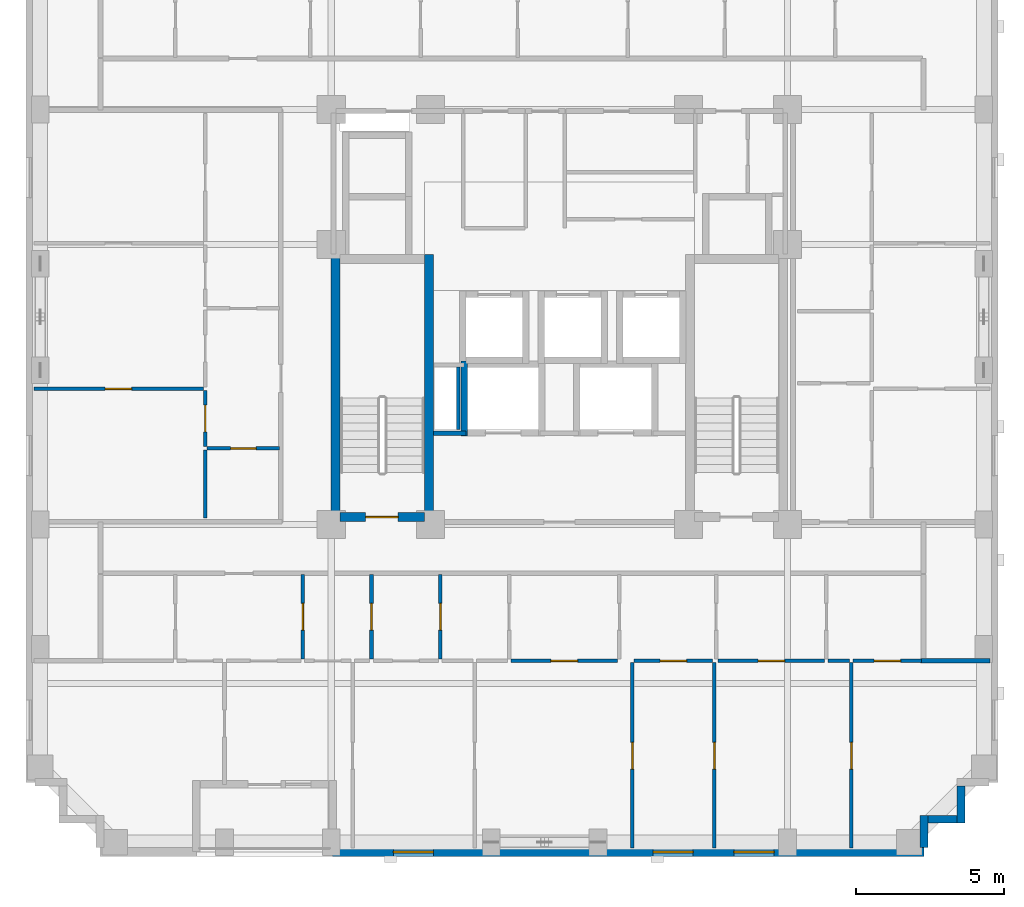
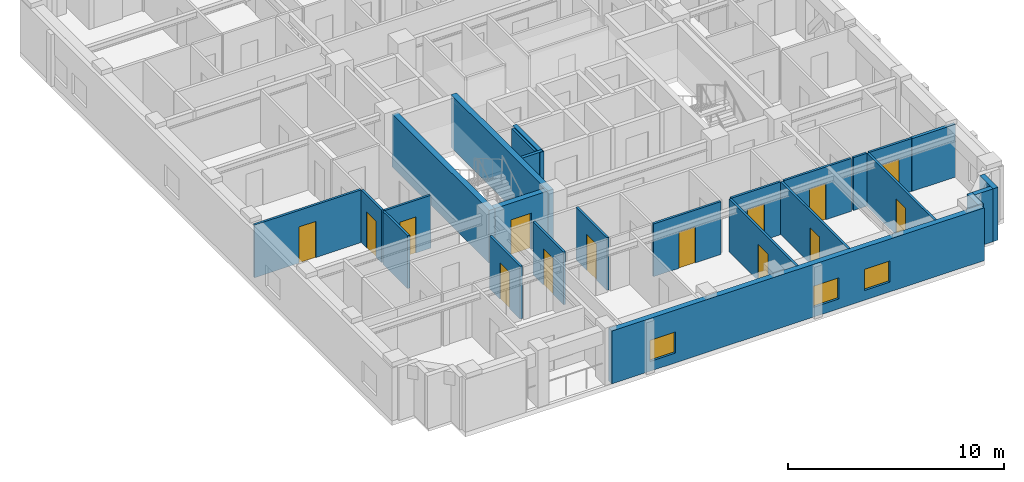
# One storey, part 3 of 11: 26 walls, 14 doors, 3 windows, 17 openings.
"""IFC4 building model written with IfcOpenShell, lengths in metres."""

from ifc_helpers import new_model, si_unit, derived_unit, direction, frame, frame_2d, origin, place, context, subcontext, project, spatial, rectangle, extrude, material, layer, layer_set, type_object, element, fill, save


model = new_model("IFC4")

# Units and contexts
model_context = context("Model", 3, precision=1e-05, world=origin(), true_north=direction((0.0, 1.0)))
body_context = subcontext(model_context, "Body", "Model", "MODEL_VIEW")
ifc_project = project(units=[si_unit("LENGTHUNIT", "METRE"), si_unit("AREAUNIT", "SQUARE_METRE"), si_unit("VOLUMEUNIT", "CUBIC_METRE"), si_unit("PLANEANGLEUNIT", "RADIAN"), si_unit("MASSUNIT", "GRAM", prefix="KILO"), derived_unit("THERMALTRANSMITTANCEUNIT", [(si_unit("MASSUNIT", "GRAM", prefix="KILO"), 1), (si_unit("TIMEUNIT", "SECOND"), -3), (si_unit("THERMODYNAMICTEMPERATUREUNIT", "KELVIN"), -1)])], contexts=[model_context])

# Site, building, storey
site_placement = place(None, origin())
site = spatial("IfcSite", under=ifc_project, at=site_placement, CompositionType="ELEMENT")
building_placement = place(site_placement, origin())
building = spatial("IfcBuilding", under=site, at=building_placement, Name="Korrvale Station Residences", CompositionType="ELEMENT")
storey_placement = place(building_placement, frame((0.0, 0.0, 153.64990234375)))
storey = spatial("IfcBuildingStorey", under=building, at=storey_placement, Name="L44", CompositionType="ELEMENT", Elevation=153.64990234375)

# Walls
ifc_material_1 = material(Name="Concrete C60/75", Category="concrete")
ifc_layer_1 = layer(ifc_material_1, 0.300048828125, Name="Concrete C60/75")
ifc_layer_set_1 = layer_set([ifc_layer_1], Name="Concrete C60/75")
wall_type_1 = type_object("IfcWallType", Name="WAL-CORE-300-C60", PredefinedType="SHEAR", material=ifc_layer_set_1)
for number, where, z_axis, x_axis, name in (
    (1, (17.949951171875, 15.10009765625, 0.0), (0.0, 0.0, 1.0), (0.0, 1.0, 0.0), "L44 ST-1 Core Shear Wall West"),
    (2, (21.10009765625, 15.10009765625, 0.0), (0.0, 0.0, 1.0), (0.0, 1.0, 0.0), "L44 ST-1 Core Shear Wall East"),
):
    element("IfcWall", number, at=place(storey_placement, frame(where, z_axis=z_axis, x_axis=x_axis)), inside=storey, type_object=wall_type_1, Name=name, PredefinedType="SHEAR", context=body_context, shape_type="SweptSolid", body=[
        extrude(rectangle(XDim=9.0, YDim=0.300048828125, at=frame_2d((4.5, 0.0))), origin(), (0.0, 0.0, 1.0), 2.989990234375),
    ])

# Wall, opening, door
wall_1_placement = place(storey_placement, frame((18.10009765625, 15.25, 0.0), z_axis=(0.0, 0.0, 1.0), x_axis=(1.0, 0.0, 0.0)))
wall_1 = element("IfcWall", 3, at=wall_1_placement, inside=storey, type_object=wall_type_1, Name="L44 ST-1 Core Shear Wall South", PredefinedType="SHEAR", context=body_context, shape_type="SweptSolid", body=[
    extrude(rectangle(XDim=2.849853515625, YDim=0.300048828125, at=frame_2d((1.4248046875, 0.0))), origin(), (0.0, 0.0, 1.0), 2.989990234375),
])
opening_1_placement = place(wall_1_placement, frame((0.860107421875, 0.0, 0.0)))
opening_1 = element("IfcOpeningElement", 4, at=opening_1_placement, cuts=wall_1, Name="Opening SD-1100", PredefinedType="OPENING", context=body_context, shape_type="SweptSolid", body=[
    extrude(rectangle(XDim=1.10009765625, YDim=2.050048828125, at=frame_2d((0.550048828125, 1.02490234375))), frame((0.0, 0.16015625, 0.0), z_axis=(0.0, -1.0, 0.0), x_axis=(1.0, 0.0, 0.0)), (0.0, 0.0, 1.0), 0.320068359375),
])
ifc_material_2 = material(Name="Hollow-metal fire-rated stair door with closer", Category="steel")
door_type_1 = type_object("IfcDoorType", Name="DR-STAIR-1100", OperationType="NOTDEFINED", PredefinedType="DOOR", material=ifc_material_2)
door_1_placement = place(opening_1_placement, origin())
door_1 = element("IfcDoor", 5, at=door_1_placement, inside=storey, type_object=door_type_1, Name="L44 ST-1 Exit Stair Door", OperationType="SINGLE_SWING_LEFT", OverallHeight=2.050048828125, OverallWidth=1.10009765625, PredefinedType="DOOR", context=body_context, shape_type="SweptSolid", body=[
    extrude(rectangle(XDim=1.10009765625, YDim=2.050048828125, at=frame_2d((0.550048828125, 1.02490234375))), frame((0.0, 0.02490234375, 0.0), z_axis=(0.0, -1.0, 0.0), x_axis=(1.0, 0.0, 0.0)), (0.0, 0.0, 1.0), 0.050048828125),
])
fill(opening_1, door_1)

# Walls
ifc_material_3 = material(Name="Precast concrete C45/55", Category="concrete")
ifc_layer_2 = layer(ifc_material_3, 0.260009765625, Name="Precast concrete C45/55")
ifc_layer_set_2 = layer_set([ifc_layer_2], Name="Precast concrete C45/55")
wall_type_2 = type_object("IfcWallType", Name="WAL-EXT-LOG260", PredefinedType="SOLIDWALL", material=ifc_layer_set_2)
wall_2_placement = place(storey_placement, frame((39.050048828125, 6.16796875, 0.0), z_axis=(0.0, 0.0, 1.0), x_axis=(0.0, -1.0, 0.0)))
element("IfcWall", 6, at=wall_2_placement, inside=storey, type_object=wall_type_2, Name="L44 Serrated Corner Precast Step SE-2", PredefinedType="SOLIDWALL", context=body_context, shape_type="SweptSolid", body=[
    extrude(rectangle(XDim=1.248046875, YDim=0.260009765625, at=frame_2d((0.6240234375, 0.0))), origin(), (0.0, 0.0, 1.0), 2.989990234375),
])
wall_3_placement = place(storey_placement, frame((38.91796875, 5.050048828125, 0.0), z_axis=(0.0, 0.0, 1.0), x_axis=(-1.0, 0.0, 0.0)))
element("IfcWall", 7, at=wall_3_placement, inside=storey, type_object=wall_type_2, Name="L44 Serrated Corner Precast Step SE-3", PredefinedType="SOLIDWALL", context=body_context, shape_type="SweptSolid", body=[
    extrude(rectangle(XDim=0.986083984375, YDim=0.260009765625, at=frame_2d((0.4931640625, 0.0))), origin(), (0.0, 0.0, 1.0), 2.989990234375),
])
wall_4_placement = place(storey_placement, frame((37.800048828125, 5.179931640625, 0.0), z_axis=(0.0, 0.0, 1.0), x_axis=(0.0, -1.0, 0.0)))
element("IfcWall", 8, at=wall_4_placement, inside=storey, type_object=wall_type_2, Name="L44 Serrated Corner Precast Step SE-4", PredefinedType="SOLIDWALL", context=body_context, shape_type="SweptSolid", body=[
    extrude(rectangle(XDim=1.077880859375, YDim=0.260009765625, at=frame_2d((0.5390625, 0.0))), origin(), (0.0, 0.0, 1.0), 2.989990234375),
])

# Wall, openings, windows
ifc_layer_3 = layer(ifc_material_3, 0.300048828125, Name="Precast concrete C45/55")
ifc_layer_set_3 = layer_set([ifc_layer_3], Name="Precast concrete C45/55")
wall_type_3 = type_object("IfcWallType", Name="WAL-EXT-PC300", PredefinedType="SOLIDWALL", material=ifc_layer_set_3)
wall_5_placement = place(storey_placement, frame((37.800048828125, 3.949951171875, 0.0), z_axis=(0.0, 0.0, 1.0), x_axis=(-1.0, 0.0, 0.0)))
wall_5 = element("IfcWall", 9, at=wall_5_placement, inside=storey, type_object=wall_type_3, Name="L44 South Exterior Precast Wall 1", PredefinedType="SOLIDWALL", context=body_context, shape_type="SweptSolid", body=[
    extrude(rectangle(XDim=19.949951171875, YDim=0.300048828125, at=frame_2d((9.97509765625, 0.0))), origin(), (0.0, 0.0, 1.0), 2.989990234375),
])
opening_2_placement = place(wall_5_placement, frame((16.554931640625, 0.0, 0.550048828125)))
opening_2 = element("IfcOpeningElement", 10, at=opening_2_placement, cuts=wall_5, Name="Opening W-10", PredefinedType="OPENING", context=body_context, shape_type="SweptSolid", body=[
    extrude(rectangle(XDim=1.35009765625, YDim=1.199951171875, at=frame_2d((0.675048828125, 0.60009765625))), frame((0.0, 0.16015625, 0.0), z_axis=(0.0, -1.0, 0.0), x_axis=(1.0, 0.0, 0.0)), (0.0, 0.0, 1.0), 0.320068359375),
])
opening_3_placement = place(wall_5_placement, frame((7.7880859375, 0.0, 0.550048828125)))
opening_3 = element("IfcOpeningElement", 11, at=opening_3_placement, cuts=wall_5, Name="Opening W-10", PredefinedType="OPENING", context=body_context, shape_type="SweptSolid", body=[
    extrude(rectangle(XDim=1.35009765625, YDim=1.199951171875, at=frame_2d((0.675048828125, 0.60009765625))), frame((0.0, 0.16015625, 0.0), z_axis=(0.0, -1.0, 0.0), x_axis=(1.0, 0.0, 0.0)), (0.0, 0.0, 1.0), 0.320068359375),
])
opening_4_placement = place(wall_5_placement, frame((5.06005859375, 0.0, 0.550048828125)))
opening_4 = element("IfcOpeningElement", 12, at=opening_4_placement, cuts=wall_5, Name="Opening W-10", PredefinedType="OPENING", context=body_context, shape_type="SweptSolid", body=[
    extrude(rectangle(XDim=1.35009765625, YDim=1.199951171875, at=frame_2d((0.675048828125, 0.60009765625))), frame((0.0, 0.16015625, 0.0), z_axis=(0.0, -1.0, 0.0), x_axis=(1.0, 0.0, 0.0)), (0.0, 0.0, 1.0), 0.320068359375),
])
ifc_material_4 = material(Name="Thermally broken aluminium frame with triple low-e glazing", Category="aluminium")
window_type = type_object("IfcWindowType", Name="WIN-W10", PartitioningType="SINGLE_PANEL", PredefinedType="WINDOW", material=ifc_material_4)
window_1_placement = place(opening_2_placement, origin())
window_1 = element("IfcWindow", 13, at=window_1_placement, inside=storey, type_object=window_type, Name="L44 Punched Window 03", OverallHeight=1.199951171875, OverallWidth=1.35009765625, PartitioningType="SINGLE_PANEL", PredefinedType="WINDOW", context=body_context, shape_type="SweptSolid", body=[
    extrude(rectangle(XDim=1.35009765625, YDim=1.199951171875, at=frame_2d((0.675048828125, 0.60009765625))), frame((0.0, 0.030029296875, 0.0), z_axis=(0.0, -1.0, 0.0), x_axis=(1.0, 0.0, 0.0)), (0.0, 0.0, 1.0), 0.06005859375),
])
fill(opening_2, window_1)
window_2_placement = place(opening_3_placement, origin())
window_2 = element("IfcWindow", 14, at=window_2_placement, inside=storey, type_object=window_type, Name="L44 Punched Window 04", OverallHeight=1.199951171875, OverallWidth=1.35009765625, PartitioningType="SINGLE_PANEL", PredefinedType="WINDOW", context=body_context, shape_type="SweptSolid", body=[
    extrude(rectangle(XDim=1.35009765625, YDim=1.199951171875, at=frame_2d((0.675048828125, 0.60009765625))), frame((0.0, 0.030029296875, 0.0), z_axis=(0.0, -1.0, 0.0), x_axis=(1.0, 0.0, 0.0)), (0.0, 0.0, 1.0), 0.06005859375),
])
fill(opening_3, window_2)
window_3_placement = place(opening_4_placement, origin())
window_3 = element("IfcWindow", 15, at=window_3_placement, inside=storey, type_object=window_type, Name="L44 Punched Window 05", OverallHeight=1.199951171875, OverallWidth=1.35009765625, PartitioningType="SINGLE_PANEL", PredefinedType="WINDOW", context=body_context, shape_type="SweptSolid", body=[
    extrude(rectangle(XDim=1.35009765625, YDim=1.199951171875, at=frame_2d((0.675048828125, 0.60009765625))), frame((0.0, 0.030029296875, 0.0), z_axis=(0.0, -1.0, 0.0), x_axis=(1.0, 0.0, 0.0)), (0.0, 0.0, 1.0), 0.06005859375),
])
fill(opening_4, window_3)

# Wall
ifc_material_5 = material(Name="Acoustic steel-stud gypsum board partition", Category="steel")
ifc_layer_4 = layer(ifc_material_5, 0.1201171875, Name="Acoustic steel-stud gypsum board partition")
ifc_layer_set_4 = layer_set([ifc_layer_4], Name="Acoustic steel-stud gypsum board partition")
wall_type_4 = type_object("IfcWallType", Name="WAL-PART-125", PredefinedType="PARTITIONING", material=ifc_layer_set_4)
wall_6_placement = place(storey_placement, frame((22.080078125, 18.199951171875, 0.0), z_axis=(0.0, 0.0, 1.0), x_axis=(0.0, 1.0, 0.0)))
element("IfcWall", 16, at=wall_6_placement, inside=storey, type_object=wall_type_4, Name="L44 Core Partition CW-RSWT", PredefinedType="PARTITIONING", context=body_context, shape_type="SweptSolid", body=[
    extrude(rectangle(XDim=2.1201171875, YDim=0.1201171875, at=frame_2d((1.06005859375, 0.0))), origin(), (0.0, 0.0, 1.0), 2.989990234375),
])

# Wall, opening, door
wall_7_placement = place(storey_placement, frame((16.840087890625, 10.4599609375, 0.0), z_axis=(0.0, 0.0, 1.0), x_axis=(0.0, 1.0, 0.0)))
wall_7 = element("IfcWall", 17, at=wall_7_placement, inside=storey, type_object=wall_type_4, Name="L44 Suite Partition U01-V12", PredefinedType="PARTITIONING", context=body_context, shape_type="SweptSolid", body=[
    extrude(rectangle(XDim=2.85009765625, YDim=0.1201171875, at=frame_2d((1.425048828125, 0.0))), origin(), (0.0, 0.0, 1.0), 2.989990234375),
])
opening_5_placement = place(wall_7_placement, frame((0.97509765625, 0.0, 0.0)))
opening_5 = element("IfcOpeningElement", 18, at=opening_5_placement, cuts=wall_7, Name="Opening DI-900", PredefinedType="OPENING", context=body_context, shape_type="SweptSolid", body=[
    extrude(rectangle(XDim=0.89990234375, YDim=2.050048828125, at=frame_2d((0.449951171875, 1.02490234375))), frame((0.0, 0.070068359375, 0.0), z_axis=(0.0, -1.0, 0.0), x_axis=(1.0, 0.0, 0.0)), (0.0, 0.0, 1.0), 0.14013671875),
])
ifc_material_6 = material(Name="Painted solid-core timber interior room door", Category="wood")
door_type_2 = type_object("IfcDoorType", Name="DR-INT-900", OperationType="NOTDEFINED", PredefinedType="DOOR", material=ifc_material_6)
door_2_placement = place(opening_5_placement, origin())
door_2 = element("IfcDoor", 19, at=door_2_placement, inside=storey, type_object=door_type_2, Name="L44 Apartment 2BR L44-U01 Kitchen Door", OperationType="SINGLE_SWING_RIGHT", OverallHeight=2.050048828125, OverallWidth=0.89990234375, PredefinedType="DOOR", context=body_context, shape_type="SweptSolid", body=[
    extrude(rectangle(XDim=0.89990234375, YDim=2.050048828125, at=frame_2d((0.449951171875, 1.02490234375))), frame((0.0, 0.02490234375, 0.0), z_axis=(0.0, -1.0, 0.0), x_axis=(1.0, 0.0, 0.0)), (0.0, 0.0, 1.0), 0.050048828125),
])
fill(opening_5, door_2)

wall_8_placement = place(storey_placement, frame((19.159912109375, 10.4599609375, 0.0), z_axis=(0.0, 0.0, 1.0), x_axis=(0.0, 1.0, 0.0)))
wall_8 = element("IfcWall", 20, at=wall_8_placement, inside=storey, type_object=wall_type_4, Name="L44 Suite Partition U01-V23", PredefinedType="PARTITIONING", context=body_context, shape_type="SweptSolid", body=[
    extrude(rectangle(XDim=2.85009765625, YDim=0.1201171875, at=frame_2d((1.425048828125, 0.0))), origin(), (0.0, 0.0, 1.0), 2.989990234375),
])
opening_6_placement = place(wall_8_placement, frame((0.97509765625, 0.0, 0.0)))
opening_6 = element("IfcOpeningElement", 21, at=opening_6_placement, cuts=wall_8, Name="Opening DI-900", PredefinedType="OPENING", context=body_context, shape_type="SweptSolid", body=[
    extrude(rectangle(XDim=0.89990234375, YDim=2.050048828125, at=frame_2d((0.449951171875, 1.02490234375))), frame((0.0, 0.070068359375, 0.0), z_axis=(0.0, -1.0, 0.0), x_axis=(1.0, 0.0, 0.0)), (0.0, 0.0, 1.0), 0.14013671875),
])
door_3_placement = place(opening_6_placement, origin())
door_3 = element("IfcDoor", 22, at=door_3_placement, inside=storey, type_object=door_type_2, Name="L44 Apartment 2BR L44-U01 Wardrobe Storage Room Door", OperationType="SINGLE_SWING_LEFT", OverallHeight=2.050048828125, OverallWidth=0.89990234375, PredefinedType="DOOR", context=body_context, shape_type="SweptSolid", body=[
    extrude(rectangle(XDim=0.89990234375, YDim=2.050048828125, at=frame_2d((0.449951171875, 1.02490234375))), frame((0.0, 0.02490234375, 0.0), z_axis=(0.0, -1.0, 0.0), x_axis=(1.0, 0.0, 0.0)), (0.0, 0.0, 1.0), 0.050048828125),
])
fill(opening_6, door_3)

wall_9_placement = place(storey_placement, frame((21.47998046875, 10.4599609375, 0.0), z_axis=(0.0, 0.0, 1.0), x_axis=(0.0, 1.0, 0.0)))
wall_9 = element("IfcWall", 23, at=wall_9_placement, inside=storey, type_object=wall_type_4, Name="L44 Suite Partition U01-V34", PredefinedType="PARTITIONING", context=body_context, shape_type="SweptSolid", body=[
    extrude(rectangle(XDim=2.85009765625, YDim=0.1201171875, at=frame_2d((1.425048828125, 0.0))), origin(), (0.0, 0.0, 1.0), 2.989990234375),
])
opening_7_placement = place(wall_9_placement, frame((0.97509765625, 0.0, 0.0)))
opening_7 = element("IfcOpeningElement", 24, at=opening_7_placement, cuts=wall_9, Name="Opening DI-900", PredefinedType="OPENING", context=body_context, shape_type="SweptSolid", body=[
    extrude(rectangle(XDim=0.89990234375, YDim=2.050048828125, at=frame_2d((0.449951171875, 1.02490234375))), frame((0.0, 0.070068359375, 0.0), z_axis=(0.0, -1.0, 0.0), x_axis=(1.0, 0.0, 0.0)), (0.0, 0.0, 1.0), 0.14013671875),
])
door_4_placement = place(opening_7_placement, origin())
door_4 = element("IfcDoor", 25, at=door_4_placement, inside=storey, type_object=door_type_2, Name="L44 Apartment 2BR L44-U01 Wardrobe Storage Room Door", OperationType="SINGLE_SWING_LEFT", OverallHeight=2.050048828125, OverallWidth=0.89990234375, PredefinedType="DOOR", context=body_context, shape_type="SweptSolid", body=[
    extrude(rectangle(XDim=0.89990234375, YDim=2.050048828125, at=frame_2d((0.449951171875, 1.02490234375))), frame((0.0, 0.02490234375, 0.0), z_axis=(0.0, -1.0, 0.0), x_axis=(1.0, 0.0, 0.0)), (0.0, 0.0, 1.0), 0.050048828125),
])
fill(opening_7, door_4)

wall_10_placement = place(storey_placement, frame((23.860107421875, 10.39990234375, 0.0), z_axis=(0.0, 0.0, 1.0), x_axis=(1.0, 0.0, 0.0)))
wall_10 = element("IfcWall", 26, at=wall_10_placement, inside=storey, type_object=wall_type_4, Name="L44 Suite Partition U01-H512", PredefinedType="PARTITIONING", context=body_context, shape_type="SweptSolid", body=[
    extrude(rectangle(XDim=3.599853515625, YDim=0.1201171875, at=frame_2d((1.7998046875, 0.0))), origin(), (0.0, 0.0, 1.0), 2.989990234375),
])
opening_8_placement = place(wall_10_placement, frame((1.35009765625, 0.0, 0.0)))
opening_8 = element("IfcOpeningElement", 27, at=opening_8_placement, cuts=wall_10, Name="Opening DI-900", PredefinedType="OPENING", context=body_context, shape_type="SweptSolid", body=[
    extrude(rectangle(XDim=0.89990234375, YDim=2.050048828125, at=frame_2d((0.449951171875, 1.02490234375))), frame((0.0, 0.070068359375, 0.0), z_axis=(0.0, -1.0, 0.0), x_axis=(1.0, 0.0, 0.0)), (0.0, 0.0, 1.0), 0.14013671875),
])
door_5_placement = place(opening_8_placement, origin())
door_5 = element("IfcDoor", 28, at=door_5_placement, inside=storey, type_object=door_type_2, Name="L44 Apartment 2BR L44-U01 Utility and Laundry Room Door", OperationType="SINGLE_SWING_LEFT", OverallHeight=2.050048828125, OverallWidth=0.89990234375, PredefinedType="DOOR", context=body_context, shape_type="SweptSolid", body=[
    extrude(rectangle(XDim=0.89990234375, YDim=2.050048828125, at=frame_2d((0.449951171875, 1.02490234375))), frame((0.0, 0.02490234375, 0.0), z_axis=(0.0, -1.0, 0.0), x_axis=(1.0, 0.0, 0.0)), (0.0, 0.0, 1.0), 0.050048828125),
])
fill(opening_8, door_5)

wall_11_placement = place(storey_placement, frame((28.02001953125, 10.39990234375, 0.0), z_axis=(0.0, 0.0, 1.0), x_axis=(1.0, 0.0, 0.0)))
wall_11 = element("IfcWall", 29, at=wall_11_placement, inside=storey, type_object=wall_type_4, Name="L44 Suite Partition U01-H613", PredefinedType="PARTITIONING", context=body_context, shape_type="SweptSolid", body=[
    extrude(rectangle(XDim=2.64990234375, YDim=0.1201171875, at=frame_2d((1.324951171875, 0.0))), origin(), (0.0, 0.0, 1.0), 2.989990234375),
])
opening_9_placement = place(wall_11_placement, frame((0.875, 0.0, 0.0)))
opening_9 = element("IfcOpeningElement", 30, at=opening_9_placement, cuts=wall_11, Name="Opening DI-900", PredefinedType="OPENING", context=body_context, shape_type="SweptSolid", body=[
    extrude(rectangle(XDim=0.89990234375, YDim=2.050048828125, at=frame_2d((0.449951171875, 1.02490234375))), frame((0.0, 0.070068359375, 0.0), z_axis=(0.0, -1.0, 0.0), x_axis=(1.0, 0.0, 0.0)), (0.0, 0.0, 1.0), 0.14013671875),
])
door_6_placement = place(opening_9_placement, origin())
door_6 = element("IfcDoor", 31, at=door_6_placement, inside=storey, type_object=door_type_2, Name="L44 Apartment 2BR L44-U01 Storage Closet 2 Door", OperationType="SINGLE_SWING_LEFT", OverallHeight=2.050048828125, OverallWidth=0.89990234375, PredefinedType="DOOR", context=body_context, shape_type="SweptSolid", body=[
    extrude(rectangle(XDim=0.89990234375, YDim=2.050048828125, at=frame_2d((0.449951171875, 1.02490234375))), frame((0.0, 0.02490234375, 0.0), z_axis=(0.0, -1.0, 0.0), x_axis=(1.0, 0.0, 0.0)), (0.0, 0.0, 1.0), 0.050048828125),
])
fill(opening_9, door_6)

wall_12_placement = place(storey_placement, frame((30.85009765625, 10.39990234375, 0.0), z_axis=(0.0, 0.0, 1.0), x_axis=(1.0, 0.0, 0.0)))
wall_12 = element("IfcWall", 32, at=wall_12_placement, inside=storey, type_object=wall_type_4, Name="L44 Suite Partition U01-H714", PredefinedType="PARTITIONING", context=body_context, shape_type="SweptSolid", body=[
    extrude(rectangle(XDim=3.599853515625, YDim=0.1201171875, at=frame_2d((1.7998046875, 0.0))), origin(), (0.0, 0.0, 1.0), 2.989990234375),
])
opening_10_placement = place(wall_12_placement, frame((1.35009765625, 0.0, 0.0)))
opening_10 = element("IfcOpeningElement", 33, at=opening_10_placement, cuts=wall_12, Name="Opening DI-900", PredefinedType="OPENING", context=body_context, shape_type="SweptSolid", body=[
    extrude(rectangle(XDim=0.89990234375, YDim=2.050048828125, at=frame_2d((0.449951171875, 1.02490234375))), frame((0.0, 0.070068359375, 0.0), z_axis=(0.0, -1.0, 0.0), x_axis=(1.0, 0.0, 0.0)), (0.0, 0.0, 1.0), 0.14013671875),
])
door_7_placement = place(opening_10_placement, origin())
door_7 = element("IfcDoor", 34, at=door_7_placement, inside=storey, type_object=door_type_2, Name="L44 Apartment 2BR L44-U01 Storage Closet 3 Door", OperationType="SINGLE_SWING_LEFT", OverallHeight=2.050048828125, OverallWidth=0.89990234375, PredefinedType="DOOR", context=body_context, shape_type="SweptSolid", body=[
    extrude(rectangle(XDim=0.89990234375, YDim=2.050048828125, at=frame_2d((0.449951171875, 1.02490234375))), frame((0.0, 0.02490234375, 0.0), z_axis=(0.0, -1.0, 0.0), x_axis=(1.0, 0.0, 0.0)), (0.0, 0.0, 1.0), 0.050048828125),
])
fill(opening_10, door_7)

# Wall
wall_13_placement = place(storey_placement, frame((34.570068359375, 10.39990234375, 0.0), z_axis=(0.0, 0.0, 1.0), x_axis=(1.0, 0.0, 0.0)))
element("IfcWall", 35, at=wall_13_placement, inside=storey, type_object=wall_type_4, Name="L44 Suite Partition U01-H814", PredefinedType="PARTITIONING", context=body_context, shape_type="SweptSolid", body=[
    extrude(rectangle(XDim=0.719970703125, YDim=0.1201171875, at=frame_2d((0.35986328125, 0.0))), origin(), (0.0, 0.0, 1.0), 2.989990234375),
])

# Wall, opening, door
wall_14_placement = place(storey_placement, frame((35.409912109375, 10.39990234375, 0.0), z_axis=(0.0, 0.0, 1.0), x_axis=(1.0, 0.0, 0.0)))
wall_14 = element("IfcWall", 36, at=wall_14_placement, inside=storey, type_object=wall_type_4, Name="L44 Suite Partition U01-H815", PredefinedType="PARTITIONING", context=body_context, shape_type="SweptSolid", body=[
    extrude(rectangle(XDim=2.31005859375, YDim=0.1201171875, at=frame_2d((1.155029296875, 0.0))), origin(), (0.0, 0.0, 1.0), 2.989990234375),
])
opening_11_placement = place(wall_14_placement, frame((0.705078125, 0.0, 0.0)))
opening_11 = element("IfcOpeningElement", 37, at=opening_11_placement, cuts=wall_14, Name="Opening DI-900", PredefinedType="OPENING", context=body_context, shape_type="SweptSolid", body=[
    extrude(rectangle(XDim=0.89990234375, YDim=2.050048828125, at=frame_2d((0.449951171875, 1.02490234375))), frame((0.0, 0.070068359375, 0.0), z_axis=(0.0, -1.0, 0.0), x_axis=(1.0, 0.0, 0.0)), (0.0, 0.0, 1.0), 0.14013671875),
])
door_8_placement = place(opening_11_placement, origin())
door_8 = element("IfcDoor", 38, at=door_8_placement, inside=storey, type_object=door_type_2, Name="L44 Apartment 2BR L44-U01 Storage Closet 4 Door", OperationType="SINGLE_SWING_RIGHT", OverallHeight=2.050048828125, OverallWidth=0.89990234375, PredefinedType="DOOR", context=body_context, shape_type="SweptSolid", body=[
    extrude(rectangle(XDim=0.89990234375, YDim=2.050048828125, at=frame_2d((0.449951171875, 1.02490234375))), frame((0.0, 0.02490234375, 0.0), z_axis=(0.0, -1.0, 0.0), x_axis=(1.0, 0.0, 0.0)), (0.0, 0.0, 1.0), 0.050048828125),
])
fill(opening_11, door_8)

wall_15_placement = place(storey_placement, frame((27.9599609375, 4.080078125, 0.0), z_axis=(0.0, 0.0, 1.0), x_axis=(0.0, 1.0, 0.0)))
wall_15 = element("IfcWall", 39, at=wall_15_placement, inside=storey, type_object=wall_type_4, Name="L44 Suite Partition U01-V1213", PredefinedType="PARTITIONING", context=body_context, shape_type="SweptSolid", body=[
    extrude(rectangle(XDim=6.260009765625, YDim=0.1201171875, at=frame_2d((3.1298828125, 0.0))), origin(), (0.0, 0.0, 1.0), 2.989990234375),
])
opening_12_placement = place(wall_15_placement, frame((2.6650390625, 0.0, 0.0)))
opening_12 = element("IfcOpeningElement", 40, at=opening_12_placement, cuts=wall_15, Name="Opening DI-900", PredefinedType="OPENING", context=body_context, shape_type="SweptSolid", body=[
    extrude(rectangle(XDim=0.89990234375, YDim=2.050048828125, at=frame_2d((0.449951171875, 1.02490234375))), frame((0.0, 0.070068359375, 0.0), z_axis=(0.0, -1.0, 0.0), x_axis=(1.0, 0.0, 0.0)), (0.0, 0.0, 1.0), 0.14013671875),
])
door_9_placement = place(opening_12_placement, origin())
door_9 = element("IfcDoor", 41, at=door_9_placement, inside=storey, type_object=door_type_2, Name="L44 Apartment 2BR L44-U01 Wardrobe Storage Room Door", OperationType="SINGLE_SWING_RIGHT", OverallHeight=2.050048828125, OverallWidth=0.89990234375, PredefinedType="DOOR", context=body_context, shape_type="SweptSolid", body=[
    extrude(rectangle(XDim=0.89990234375, YDim=2.050048828125, at=frame_2d((0.449951171875, 1.02490234375))), frame((0.0, 0.02490234375, 0.0), z_axis=(0.0, -1.0, 0.0), x_axis=(1.0, 0.0, 0.0)), (0.0, 0.0, 1.0), 0.050048828125),
])
fill(opening_12, door_9)

wall_16_placement = place(storey_placement, frame((30.72998046875, 4.080078125, 0.0), z_axis=(0.0, 0.0, 1.0), x_axis=(0.0, 1.0, 0.0)))
wall_16 = element("IfcWall", 42, at=wall_16_placement, inside=storey, type_object=wall_type_4, Name="L44 Suite Partition U01-V1314", PredefinedType="PARTITIONING", context=body_context, shape_type="SweptSolid", body=[
    extrude(rectangle(XDim=6.260009765625, YDim=0.1201171875, at=frame_2d((3.1298828125, 0.0))), origin(), (0.0, 0.0, 1.0), 2.989990234375),
])
opening_13_placement = place(wall_16_placement, frame((2.6650390625, 0.0, 0.0)))
opening_13 = element("IfcOpeningElement", 43, at=opening_13_placement, cuts=wall_16, Name="Opening DI-900", PredefinedType="OPENING", context=body_context, shape_type="SweptSolid", body=[
    extrude(rectangle(XDim=0.89990234375, YDim=2.050048828125, at=frame_2d((0.449951171875, 1.02490234375))), frame((0.0, 0.070068359375, 0.0), z_axis=(0.0, -1.0, 0.0), x_axis=(1.0, 0.0, 0.0)), (0.0, 0.0, 1.0), 0.14013671875),
])
door_10_placement = place(opening_13_placement, origin())
door_10 = element("IfcDoor", 44, at=door_10_placement, inside=storey, type_object=door_type_2, Name="L44 Apartment 2BR L44-U01 Private Library Study Door", OperationType="SINGLE_SWING_LEFT", OverallHeight=2.050048828125, OverallWidth=0.89990234375, PredefinedType="DOOR", context=body_context, shape_type="SweptSolid", body=[
    extrude(rectangle(XDim=0.89990234375, YDim=2.050048828125, at=frame_2d((0.449951171875, 1.02490234375))), frame((0.0, 0.02490234375, 0.0), z_axis=(0.0, -1.0, 0.0), x_axis=(1.0, 0.0, 0.0)), (0.0, 0.0, 1.0), 0.050048828125),
])
fill(opening_13, door_10)

wall_17_placement = place(storey_placement, frame((35.35009765625, 4.080078125, 0.0), z_axis=(0.0, 0.0, 1.0), x_axis=(0.0, 1.0, 0.0)))
wall_17 = element("IfcWall", 45, at=wall_17_placement, inside=storey, type_object=wall_type_4, Name="L44 Suite Partition U01-V1415", PredefinedType="PARTITIONING", context=body_context, shape_type="SweptSolid", body=[
    extrude(rectangle(XDim=6.260009765625, YDim=0.1201171875, at=frame_2d((3.1298828125, 0.0))), origin(), (0.0, 0.0, 1.0), 2.989990234375),
])
opening_14_placement = place(wall_17_placement, frame((2.6650390625, 0.0, 0.0)))
opening_14 = element("IfcOpeningElement", 46, at=opening_14_placement, cuts=wall_17, Name="Opening DI-900", PredefinedType="OPENING", context=body_context, shape_type="SweptSolid", body=[
    extrude(rectangle(XDim=0.89990234375, YDim=2.050048828125, at=frame_2d((0.449951171875, 1.02490234375))), frame((0.0, 0.070068359375, 0.0), z_axis=(0.0, -1.0, 0.0), x_axis=(1.0, 0.0, 0.0)), (0.0, 0.0, 1.0), 0.14013671875),
])
door_11_placement = place(opening_14_placement, origin())
door_11 = element("IfcDoor", 47, at=door_11_placement, inside=storey, type_object=door_type_2, Name="L44 Apartment 2BR L44-U01 Bedroom 1 Door", OperationType="SINGLE_SWING_RIGHT", OverallHeight=2.050048828125, OverallWidth=0.89990234375, PredefinedType="DOOR", context=body_context, shape_type="SweptSolid", body=[
    extrude(rectangle(XDim=0.89990234375, YDim=2.050048828125, at=frame_2d((0.449951171875, 1.02490234375))), frame((0.0, 0.02490234375, 0.0), z_axis=(0.0, -1.0, 0.0), x_axis=(1.0, 0.0, 0.0)), (0.0, 0.0, 1.0), 0.050048828125),
])
fill(opening_14, door_11)

wall_18_placement = place(storey_placement, frame((13.610107421875, 17.570068359375, 0.0), z_axis=(0.0, 0.0, 1.0), x_axis=(1.0, 0.0, 0.0)))
wall_18 = element("IfcWall", 48, at=wall_18_placement, inside=storey, type_object=wall_type_4, Name="L44 Suite Partition U03-H12", PredefinedType="PARTITIONING", context=body_context, shape_type="SweptSolid", body=[
    extrude(rectangle(XDim=2.449951171875, YDim=0.1201171875, at=frame_2d((1.22509765625, 0.0))), origin(), (0.0, 0.0, 1.0), 2.989990234375),
])
opening_15_placement = place(wall_18_placement, frame((0.794921875, 0.0, 0.0)))
opening_15 = element("IfcOpeningElement", 49, at=opening_15_placement, cuts=wall_18, Name="Opening DB-860", PredefinedType="OPENING", context=body_context, shape_type="SweptSolid", body=[
    extrude(rectangle(XDim=0.860107421875, YDim=2.050048828125, at=frame_2d((0.43017578125, 1.02490234375))), frame((0.0, 0.070068359375, 0.0), z_axis=(0.0, -1.0, 0.0), x_axis=(1.0, 0.0, 0.0)), (0.0, 0.0, 1.0), 0.14013671875),
])
ifc_material_7 = material(Name="Moisture-resistant solid-core bathroom door", Category="timber")
door_type_3 = type_object("IfcDoorType", Name="DR-BATH-860", OperationType="NOTDEFINED", PredefinedType="DOOR", material=ifc_material_7)
door_12_placement = place(opening_15_placement, origin())
door_12 = element("IfcDoor", 50, at=door_12_placement, inside=storey, type_object=door_type_3, Name="L44 Apartment 2BR L44-U03 Bathroom Door", OperationType="SINGLE_SWING_RIGHT", OverallHeight=2.050048828125, OverallWidth=0.860107421875, PredefinedType="DOOR", context=body_context, shape_type="SweptSolid", body=[
    extrude(rectangle(XDim=0.860107421875, YDim=2.050048828125, at=frame_2d((0.43017578125, 1.02490234375))), frame((0.0, 0.02490234375, 0.0), z_axis=(0.0, -1.0, 0.0), x_axis=(1.0, 0.0, 0.0)), (0.0, 0.0, 1.0), 0.050048828125),
])
fill(opening_15, door_12)

# Wall
wall_19_placement = place(storey_placement, frame((13.550048828125, 15.2099609375, 0.0), z_axis=(0.0, 0.0, 1.0), x_axis=(0.0, 1.0, 0.0)))
element("IfcWall", 51, at=wall_19_placement, inside=storey, type_object=wall_type_4, Name="L44 Suite Partition U03-V13", PredefinedType="PARTITIONING", context=body_context, shape_type="SweptSolid", body=[
    extrude(rectangle(XDim=2.300048828125, YDim=0.1201171875, at=frame_2d((1.14990234375, 0.0))), origin(), (0.0, 0.0, 1.0), 2.989990234375),
])

# Wall, opening, door
wall_20_placement = place(storey_placement, frame((13.550048828125, 17.6298828125, 0.0), z_axis=(0.0, 0.0, 1.0), x_axis=(0.0, 1.0, 0.0)))
wall_20 = element("IfcWall", 52, at=wall_20_placement, inside=storey, type_object=wall_type_4, Name="L44 Suite Partition U03-V23", PredefinedType="PARTITIONING", context=body_context, shape_type="SweptSolid", body=[
    extrude(rectangle(XDim=1.88818359375, YDim=0.1201171875, at=frame_2d((0.944091796875, 0.0))), origin(), (0.0, 0.0, 1.0), 2.989990234375),
])
opening_16_placement = place(wall_20_placement, frame((0.493896484375, 0.0, 0.0)))
opening_16 = element("IfcOpeningElement", 53, at=opening_16_placement, cuts=wall_20, Name="Opening DI-900", PredefinedType="OPENING", context=body_context, shape_type="SweptSolid", body=[
    extrude(rectangle(XDim=0.89990234375, YDim=2.050048828125, at=frame_2d((0.449951171875, 1.02490234375))), frame((0.0, 0.070068359375, 0.0), z_axis=(0.0, -1.0, 0.0), x_axis=(1.0, 0.0, 0.0)), (0.0, 0.0, 1.0), 0.14013671875),
])
door_13_placement = place(opening_16_placement, origin())
door_13 = element("IfcDoor", 54, at=door_13_placement, inside=storey, type_object=door_type_2, Name="L44 Apartment 2BR L44-U03 Kitchen Door", OperationType="SINGLE_SWING_LEFT", OverallHeight=2.050048828125, OverallWidth=0.89990234375, PredefinedType="DOOR", context=body_context, shape_type="SweptSolid", body=[
    extrude(rectangle(XDim=0.89990234375, YDim=2.050048828125, at=frame_2d((0.449951171875, 1.02490234375))), frame((0.0, 0.02490234375, 0.0), z_axis=(0.0, -1.0, 0.0), x_axis=(1.0, 0.0, 0.0)), (0.0, 0.0, 1.0), 0.050048828125),
])
fill(opening_16, door_13)

wall_21_placement = place(storey_placement, frame((7.780029296875, 19.577880859375, 0.0), z_axis=(0.0, 0.0, 1.0), x_axis=(1.0, 0.0, 0.0)))
wall_21 = element("IfcWall", 55, at=wall_21_placement, inside=storey, type_object=wall_type_4, Name="L44 Suite Partition U03-H34", PredefinedType="PARTITIONING", context=body_context, shape_type="SweptSolid", body=[
    extrude(rectangle(XDim=5.7099609375, YDim=0.1201171875, at=frame_2d((2.85498046875, 0.0))), origin(), (0.0, 0.0, 1.0), 2.989990234375),
])
opening_17_placement = place(wall_21_placement, frame((2.389892578125, 0.0, 0.0)))
opening_17 = element("IfcOpeningElement", 56, at=opening_17_placement, cuts=wall_21, Name="Opening DI-900", PredefinedType="OPENING", context=body_context, shape_type="SweptSolid", body=[
    extrude(rectangle(XDim=0.89990234375, YDim=2.050048828125, at=frame_2d((0.449951171875, 1.02490234375))), frame((0.0, 0.070068359375, 0.0), z_axis=(0.0, -1.0, 0.0), x_axis=(1.0, 0.0, 0.0)), (0.0, 0.0, 1.0), 0.14013671875),
])
door_14_placement = place(opening_17_placement, origin())
door_14 = element("IfcDoor", 57, at=door_14_placement, inside=storey, type_object=door_type_2, Name="L44 Apartment 2BR L44-U03 Bedroom 1 Door", OperationType="SINGLE_SWING_LEFT", OverallHeight=2.050048828125, OverallWidth=0.89990234375, PredefinedType="DOOR", context=body_context, shape_type="SweptSolid", body=[
    extrude(rectangle(XDim=0.89990234375, YDim=2.050048828125, at=frame_2d((0.449951171875, 1.02490234375))), frame((0.0, 0.02490234375, 0.0), z_axis=(0.0, -1.0, 0.0), x_axis=(1.0, 0.0, 0.0)), (0.0, 0.0, 1.0), 0.050048828125),
])
fill(opening_17, door_14)

# Walls
ifc_material_8 = material(Name="Fire-rated twin-stud gypsum and mineral wool shaftwall assembly", Category="gypsum")
ifc_layer_5 = layer(ifc_material_8, 0.159912109375, Name="Fire-rated twin-stud gypsum and mineral wool shaftwall assembly")
ifc_layer_set_5 = layer_set([ifc_layer_5], Name="Fire-rated twin-stud gypsum and mineral wool shaftwall assembly")
wall_type_5 = type_object("IfcWallType", Name="WAL-PART-200", PredefinedType="PARTITIONING", material=ifc_layer_set_5)
wall_22_placement = place(storey_placement, frame((21.25, 18.080078125, 0.0), z_axis=(0.0, 0.0, 1.0), x_axis=(1.0, 0.0, 0.0)))
element("IfcWall", 58, at=wall_22_placement, inside=storey, type_object=wall_type_5, Name="L44 Core Partition CW-FFL-N1", PredefinedType="PARTITIONING", context=body_context, shape_type="SweptSolid", body=[
    extrude(rectangle(XDim=1.10009765625, YDim=0.159912109375, at=frame_2d((0.550048828125, 0.0))), origin(), (0.0, 0.0, 1.0), 2.989990234375),
])
wall_23_placement = place(storey_placement, frame((37.679931640625, 10.39990234375, 0.0), z_axis=(0.0, 0.0, 1.0), x_axis=(1.0, 0.0, 0.0)))
element("IfcWall", 59, at=wall_23_placement, inside=storey, type_object=wall_type_5, Name="L44 Corner Step Wall U01-R", PredefinedType="PARTITIONING", context=body_context, shape_type="SweptSolid", body=[
    extrude(rectangle(XDim=2.340087890625, YDim=0.159912109375, at=frame_2d((1.169921875, 0.0))), origin(), (0.0, 0.0, 1.0), 2.989990234375),
])
ifc_layer_6 = layer(ifc_material_1, 0.219970703125, Name="Concrete C60/75")
ifc_layer_set_6 = layer_set([ifc_layer_6], Name="Concrete C60/75")
wall_type_6 = type_object("IfcWallType", Name="WAL-SHAFT-220-C60", PredefinedType="SHEAR", material=ifc_layer_set_6)
wall_24_placement = place(storey_placement, frame((22.2900390625, 17.97998046875, 0.0), z_axis=(0.0, 0.0, 1.0), x_axis=(0.0, 1.0, 0.0)))
element("IfcWall", 60, at=wall_24_placement, inside=storey, type_object=wall_type_6, Name="L44 Elevator FFL-1 Hoistway Wall West", PredefinedType="SHEAR", context=body_context, shape_type="SweptSolid", body=[
    extrude(rectangle(XDim=2.5400390625, YDim=0.219970703125, at=frame_2d((1.27001953125, 0.0))), origin(), (0.0, 0.0, 1.0), 2.989990234375),
])

save(model, "model.ifc")
